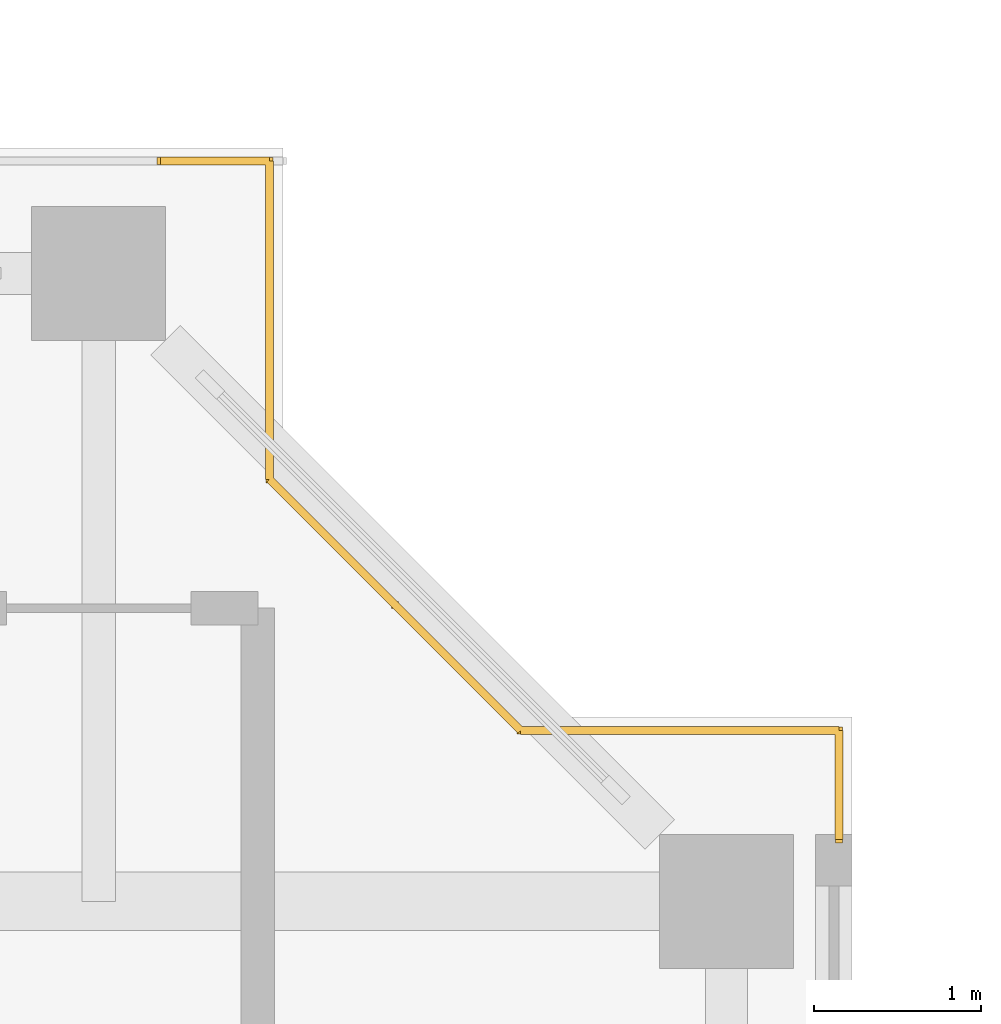
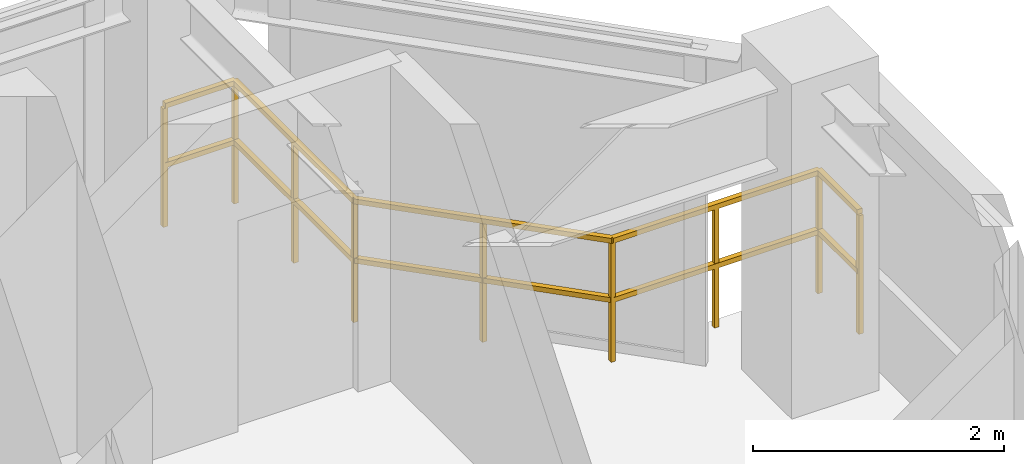
# One storey, part 23 of 23: 1 railing.
"""IFC4 building model written with IfcOpenShell, lengths in metres."""

from ifc_helpers import new_model, si_unit, direction, frame, origin, origin_2d, place, context, subcontext, project, spatial, rectangle, extrude, material, type_object, element, save


model = new_model("IFC4")

# Units and contexts
model_context = context("Model", 3, precision=1e-05, world=origin(), true_north=direction((0.0, 1.0)))
body_context = subcontext(model_context, "Body", "Model", "MODEL_VIEW")
ifc_project = project(units=[si_unit("LENGTHUNIT", "METRE"), si_unit("AREAUNIT", "SQUARE_METRE"), si_unit("VOLUMEUNIT", "CUBIC_METRE"), si_unit("PLANEANGLEUNIT", "RADIAN"), si_unit("MASSUNIT", "GRAM", prefix="KILO"), si_unit("THERMODYNAMICTEMPERATUREUNIT", "KELVIN"), si_unit("POWERUNIT", "WATT")], contexts=[model_context])

# Site, building, storey
site_placement = place(None, origin())
site = spatial("IfcSite", under=ifc_project, at=site_placement, CompositionType="ELEMENT")
building_placement = place(site_placement, origin())
building = spatial("IfcBuilding", under=site, at=building_placement, Name="Qiaomeng Ring Towers", CompositionType="ELEMENT")
storey_placement = place(building_placement, frame((0.0, 0.0, 103.5)))
storey = spatial("IfcBuildingStorey", under=building, at=storey_placement, Name="L29", CompositionType="ELEMENT", Elevation=103.5)

# Railing
ifc_material = material(Name="Low-E pale-green laminated safety glass", Category="glass")
railing_type = type_object("IfcRailingType", Name="ARC-RL-BAL1", PredefinedType="BALUSTRADE", material=ifc_material)
railing_placement = place(storey_placement, frame((73.02001953125, 31.469970703125, 0.0)))
element("IfcRailing", 1, at=railing_placement, inside=storey, type_object=railing_type, Name="L29 Balustrade ARC-BAL-NOTCH2-L29-NE", PredefinedType="BALUSTRADE", context=body_context, shape_type="SweptSolid", body=[
    extrude(rectangle(XDim=0.048095703125, YDim=0.048095703125, at=origin_2d()), frame((0.0, 0.0, 1.17578125), z_axis=(0.0, 1.0, 0.0), x_axis=(-1.0, 0.0, 0.0)), (0.0, 0.0, 1.0), 0.650146484375),
    extrude(rectangle(XDim=0.048095703125, YDim=0.048095703125, at=origin_2d()), frame((0.0, 0.0, 0.60009765625), z_axis=(0.0, 1.0, 0.0), x_axis=(-1.0, 0.0, 0.0)), (0.0, 0.0, 1.0), 0.650146484375),
    extrude(rectangle(XDim=0.048095703125, YDim=0.048095703125, at=origin_2d()), frame((0.0, 0.650146484375, 1.17578125), z_axis=(-1.0, 0.0, 0.0), x_axis=(0.0, -1.0, 0.0)), (0.0, 0.0, 1.0), 1.89990234375),
    extrude(rectangle(XDim=0.048095703125, YDim=0.048095703125, at=origin_2d()), frame((0.0, 0.650146484375, 0.60009765625), z_axis=(-1.0, 0.0, 0.0), x_axis=(0.0, -1.0, 0.0)), (0.0, 0.0, 1.0), 1.89990234375),
    extrude(rectangle(XDim=0.048095703125, YDim=0.048095703125, at=origin_2d()), frame((-1.89990234375, 0.650146484375, 1.17578125), z_axis=(-0.707106781187, 0.707106781187, 0.0), x_axis=(-0.707106781187, -0.707106781187, 0.0)), (0.0, 0.0, 1.0), 2.121337890625),
    extrude(rectangle(XDim=0.048095703125, YDim=0.048095703125, at=origin_2d()), frame((-1.89990234375, 0.650146484375, 0.60009765625), z_axis=(-0.707106781187, 0.707106781187, 0.0), x_axis=(-0.707106781187, -0.707106781187, 0.0)), (0.0, 0.0, 1.0), 2.121337890625),
    extrude(rectangle(XDim=0.048095703125, YDim=0.048095703125, at=origin_2d()), frame((-3.39990234375, 2.150146484375, 1.17578125), z_axis=(0.0, 1.0, 0.0), x_axis=(-1.0, 0.0, 0.0)), (0.0, 0.0, 1.0), 1.89990234375),
    extrude(rectangle(XDim=0.048095703125, YDim=0.048095703125, at=origin_2d()), frame((-3.39990234375, 2.150146484375, 0.60009765625), z_axis=(0.0, 1.0, 0.0), x_axis=(-1.0, 0.0, 0.0)), (0.0, 0.0, 1.0), 1.89990234375),
    extrude(rectangle(XDim=0.048095703125, YDim=0.048095703125, at=origin_2d()), frame((-3.39990234375, 4.050048828125, 1.17578125), z_axis=(-1.0, 0.0, 0.0), x_axis=(0.0, -1.0, 0.0)), (0.0, 0.0, 1.0), 0.650146484375),
    extrude(rectangle(XDim=0.048095703125, YDim=0.048095703125, at=origin_2d()), frame((-3.39990234375, 4.050048828125, 0.60009765625), z_axis=(-1.0, 0.0, 0.0), x_axis=(0.0, -1.0, 0.0)), (0.0, 0.0, 1.0), 0.650146484375),
    extrude(rectangle(XDim=0.0419921875, YDim=0.0419921875, at=origin_2d()), origin(), (0.0, 0.0, 1.0), 1.15185546875),
    extrude(rectangle(XDim=0.0419921875, YDim=0.0419921875, at=origin_2d()), frame((0.0, 0.650146484375, 0.0)), (0.0, 0.0, 1.0), 1.15185546875),
    extrude(rectangle(XDim=0.0419921875, YDim=0.0419921875, at=origin_2d()), frame((-0.949951171875, 0.650146484375, 0.0)), (0.0, 0.0, 1.0), 1.15185546875),
    extrude(rectangle(XDim=0.0419921875, YDim=0.0419921875, at=origin_2d()), frame((-1.89990234375, 0.650146484375, 0.0)), (0.0, 0.0, 1.0), 1.15185546875),
    extrude(rectangle(XDim=0.0419921875, YDim=0.0419921875, at=origin_2d()), frame((-2.64990234375, 1.400146484375, 0.0)), (0.0, 0.0, 1.0), 1.15185546875),
    extrude(rectangle(XDim=0.0419921875, YDim=0.0419921875, at=origin_2d()), frame((-3.39990234375, 2.150146484375, 0.0)), (0.0, 0.0, 1.0), 1.15185546875),
    extrude(rectangle(XDim=0.0419921875, YDim=0.0419921875, at=origin_2d()), frame((-3.39990234375, 3.10009765625, 0.0)), (0.0, 0.0, 1.0), 1.15185546875),
    extrude(rectangle(XDim=0.0419921875, YDim=0.0419921875, at=origin_2d()), frame((-3.39990234375, 4.050048828125, 0.0)), (0.0, 0.0, 1.0), 1.15185546875),
    extrude(rectangle(XDim=0.0419921875, YDim=0.0419921875, at=origin_2d()), frame((-4.050048828125, 4.050048828125, 0.0)), (0.0, 0.0, 1.0), 1.15185546875),
])

save(model, "model.ifc")
